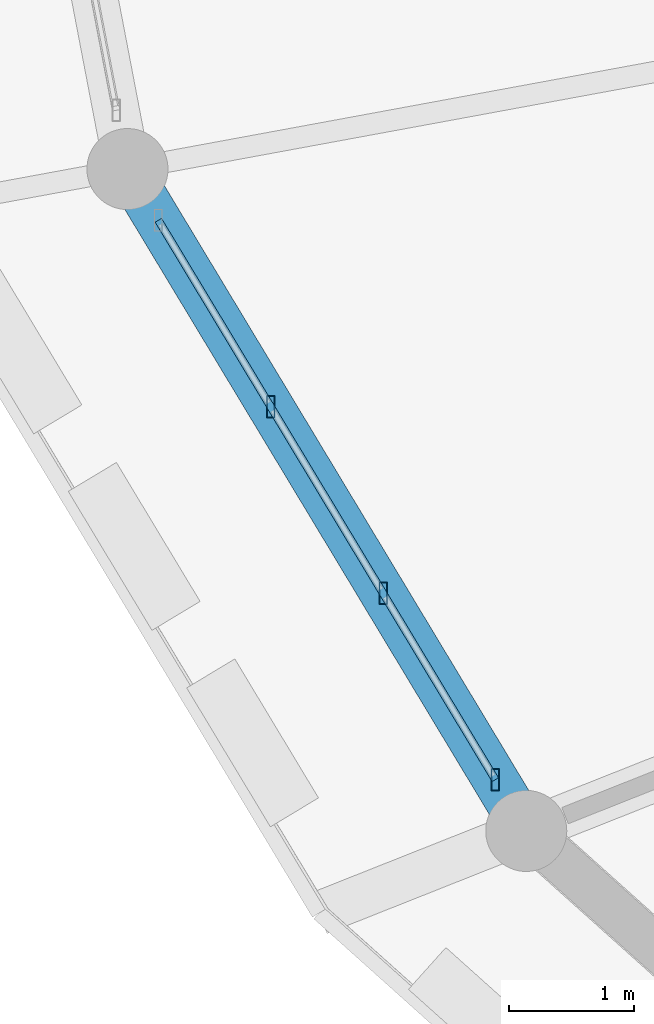
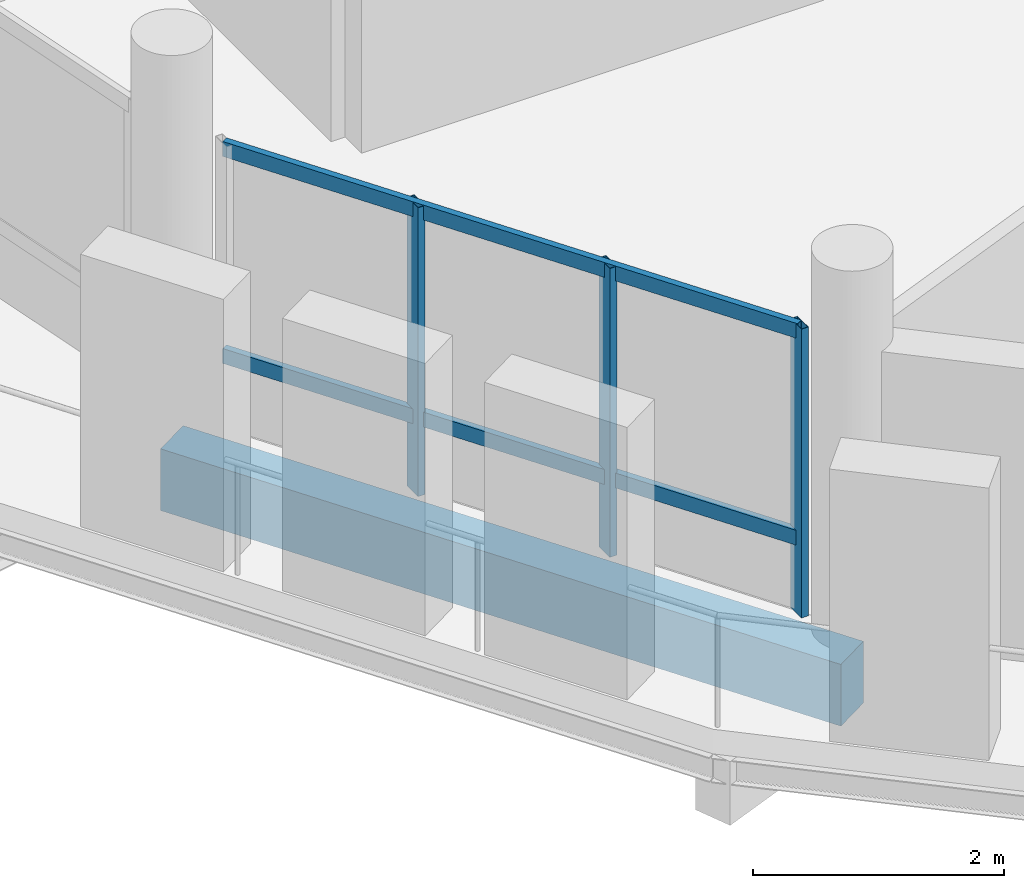
# One storey, part 29 of 84: 5 members, 1 beam, 1 element without a shape of its own.
"""IFC4 building model written with IfcOpenShell, lengths in metres."""

from ifc_helpers import new_model, si_unit, direction, frame, origin, origin_2d, place, context, subcontext, project, spatial, rectangle, hollow_rectangle, extrude, material, material_profile, profile_set, type_object, element, aggregate, save


model = new_model("IFC4")

# Units and contexts
model_context = context("Model", 3, precision=1e-05, world=origin(), true_north=direction((0.0, 1.0)))
body_context = subcontext(model_context, "Body", "Model", "MODEL_VIEW")
ifc_project = project(units=[si_unit("LENGTHUNIT", "METRE"), si_unit("AREAUNIT", "SQUARE_METRE"), si_unit("VOLUMEUNIT", "CUBIC_METRE"), si_unit("PLANEANGLEUNIT", "RADIAN"), si_unit("MASSUNIT", "GRAM", prefix="KILO")], contexts=[model_context])

# Site, building, storey
site_placement = place(None, origin())
site = spatial("IfcSite", under=ifc_project, at=site_placement, CompositionType="ELEMENT")
building_placement = place(site_placement, origin())
building = spatial("IfcBuilding", under=site, at=building_placement, Name="Zornivar Specialist Clinic", CompositionType="ELEMENT")
storey_placement = place(building_placement, frame((0.0, 0.0, 12.300048828125)))
storey = spatial("IfcBuildingStorey", under=building, at=storey_placement, Name="L03", CompositionType="ELEMENT", Elevation=12.300048828125)

# Beam
ifc_material_1 = material(Name="Concrete C30/37", Category="concrete")
ifc_material_profile_1 = material_profile(ifc_material_1, rectangle(XDim=0.3701171875, YDim=0.60009765625, at=origin_2d()), Name="RC 370x600")
ifc_profile_set_1 = profile_set([ifc_material_profile_1], Name="Concrete C30/37")
beam_type = type_object("IfcBeamType", Name="BM-RC-SPANDREL-370x600", PredefinedType="SPANDREL", material=ifc_profile_set_1)
beam_placement = place(storey_placement, frame((62.68994140625, 51.906005859375, -0.5400390625), z_axis=(0.516094506256, -0.856531646007, 0.0), x_axis=(0.856531646007, 0.516094506256, 0.0)))
element("IfcBeam", 1, at=beam_placement, inside=storey, type_object=beam_type, Name="bm:V1:L03:outring:13", PredefinedType="SPANDREL", context=body_context, shape_type="SweptSolid", body=[
    extrude(rectangle(XDim=0.3701171875, YDim=0.60009765625, at=origin_2d()), origin(), (0.0, 0.0, 1.0), 6.194580078125),
])

# Curtain wall, members
ifc_material_2 = material(Name="Aluminium and Low-E Glass Curtain Wall", Category="aluminium")
curtain_wall_type = type_object("IfcCurtainWallType", Name="CW-DRUM-FACET", PredefinedType="NOTDEFINED", material=ifc_material_2)
curtain_wall_placement = place(storey_placement, origin())
curtain_wall = element("IfcCurtainWall", 2, at=curtain_wall_placement, inside=storey, type_object=curtain_wall_type, Name="cw:V1:L03:c13", PredefinedType="NOTDEFINED")
ifc_material_3 = material(Name="Aluminium AW-6060", Category="aluminium")
ifc_material_profile_2 = material_profile(ifc_material_3, hollow_rectangle(XDim=0.06494140625, YDim=0.175048828125, WallThickness=0.00439453125, at=origin_2d()), Name="ALU 65x175x4.5")
ifc_profile_set_2 = profile_set([ifc_material_profile_2], Name="Aluminium AW-6060")
member_type_1 = type_object("IfcMemberType", Name="CWM-MUL-175", PredefinedType="MULLION", material=ifc_profile_set_2)
member_1_placement = place(storey_placement, frame((63.837890625, 50.0, 0.0), z_axis=(0.0, 0.0, 1.0), x_axis=(1.0, 0.0, 0.0)))
member_1 = element("IfcMember", 3, at=member_1_placement, type_object=member_type_1, Name="cw:V1:L03:c13:mul:1", PredefinedType="MULLION", context=body_context, shape_type="SweptSolid", body=[
    extrude(hollow_rectangle(XDim=0.06494140625, YDim=0.175048828125, WallThickness=0.00439453125, at=origin_2d()), origin(), (0.0, 0.0, 1.0), 2.81005859375),
])
member_2_placement = place(storey_placement, frame((64.739013671875, 48.5048828125, 0.0), z_axis=(0.0, 0.0, 1.0), x_axis=(1.0, 0.0, 0.0)))
member_2 = element("IfcMember", 4, at=member_2_placement, type_object=member_type_1, Name="cw:V1:L03:c13:mul:2", PredefinedType="MULLION", context=body_context, shape_type="SweptSolid", body=[
    extrude(hollow_rectangle(XDim=0.06494140625, YDim=0.175048828125, WallThickness=0.00439453125, at=origin_2d()), origin(), (0.0, 0.0, 1.0), 2.81005859375),
])
member_3_placement = place(storey_placement, frame((65.638916015625, 47.010986328125, 0.0), z_axis=(0.0, 0.0, 1.0), x_axis=(1.0, 0.0, 0.0)))
member_3 = element("IfcMember", 5, at=member_3_placement, type_object=member_type_1, Name="cw:V1:L03:c13:mul:3", PredefinedType="MULLION", context=body_context, shape_type="SweptSolid", body=[
    extrude(hollow_rectangle(XDim=0.06494140625, YDim=0.175048828125, WallThickness=0.00439453125, at=origin_2d()), origin(), (0.0, 0.0, 1.0), 2.81005859375),
])
ifc_material_4 = material(Name="Aluminium AW-6060", Category="aluminium")
ifc_material_profile_3 = material_profile(ifc_material_4, hollow_rectangle(XDim=0.06005859375, YDim=0.14501953125, WallThickness=0.00390625, at=origin_2d()), Name="ALU 60x145x4")
ifc_profile_set_3 = profile_set([ifc_material_profile_3], Name="Aluminium AW-6060")
member_type_2 = type_object("IfcMemberType", Name="CWM-TRN-145", PredefinedType="USERDEFINED", material=ifc_profile_set_3)
member_4_placement = place(storey_placement, frame((62.93798828125, 51.4951171875, 0.73095703125), z_axis=(0.515962745671, -0.856611023207, 0.0), x_axis=(0.856611023207, 0.515962745671, 0.0)))
member_4 = element("IfcMember", 6, at=member_4_placement, type_object=member_type_2, Name="cw:V1:L03:c13:trn:0", ObjectType="TRANSOM", PredefinedType="USERDEFINED", context=body_context, shape_type="SweptSolid", body=[
    extrude(hollow_rectangle(XDim=0.06005859375, YDim=0.14501953125, WallThickness=0.00390625, at=origin_2d()), origin(), (0.0, 0.0, 1.0), 5.234619140625),
])
member_5_placement = place(storey_placement, frame((62.93798828125, 51.4951171875, 2.744873046875), z_axis=(0.515962745671, -0.856611023207, 0.0), x_axis=(0.856611023207, 0.515962745671, 0.0)))
member_5 = element("IfcMember", 7, at=member_5_placement, type_object=member_type_2, Name="cw:V1:L03:c13:trn:1", ObjectType="TRANSOM", PredefinedType="USERDEFINED", context=body_context, shape_type="SweptSolid", body=[
    extrude(hollow_rectangle(XDim=0.06005859375, YDim=0.14501953125, WallThickness=0.00390625, at=origin_2d()), origin(), (0.0, 0.0, 1.0), 5.234619140625),
])
aggregate(curtain_wall, [member_1, member_2, member_3, member_4, member_5])

save(model, "model.ifc")
